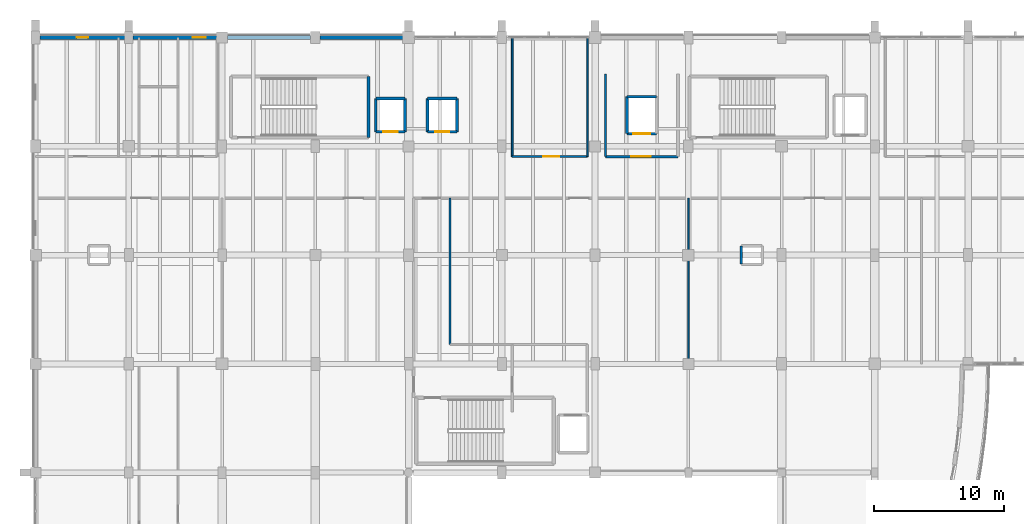
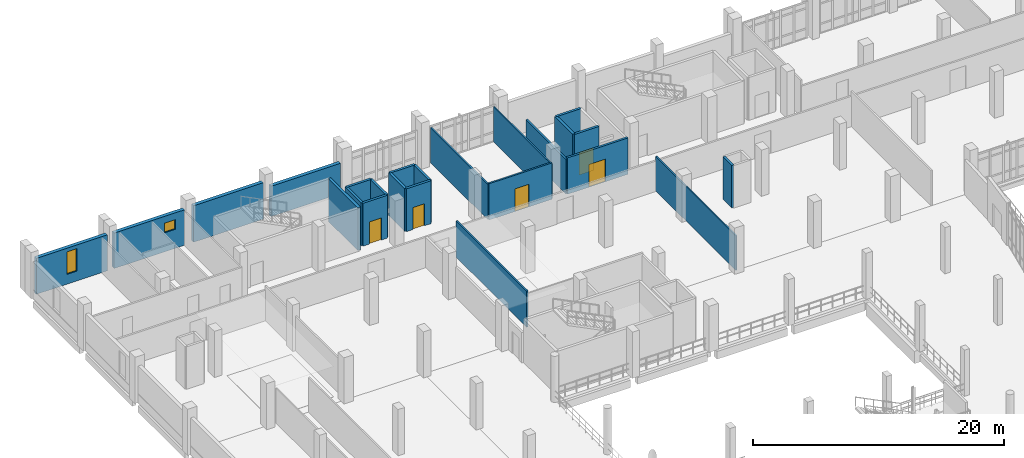
# One storey, part 116 of 134: 24 walls, 5 doors, 2 windows, 7 openings.
"""IFC4 building model written with IfcOpenShell, lengths in metres."""

from ifc_helpers import new_model, si_unit, direction, frame, frame_2d, origin, place, context, subcontext, project, spatial, rectangle, extrude, material, layer, layer_set, type_object, element, fill, save


model = new_model("IFC4")

# Units and contexts
model_context = context("Model", 3, precision=1e-05, world=origin(), true_north=direction((0.0, 1.0)))
body_context = subcontext(model_context, "Body", "Model", "MODEL_VIEW")
ifc_project = project(units=[si_unit("LENGTHUNIT", "METRE"), si_unit("AREAUNIT", "SQUARE_METRE"), si_unit("VOLUMEUNIT", "CUBIC_METRE"), si_unit("PLANEANGLEUNIT", "RADIAN"), si_unit("MASSUNIT", "GRAM", prefix="KILO")], contexts=[model_context])

# Site, building, storey
site_placement = place(None, origin())
site = spatial("IfcSite", under=ifc_project, at=site_placement, CompositionType="ELEMENT")
building_placement = place(site_placement, origin())
building = spatial("IfcBuilding", under=site, at=building_placement, Name="Kalluvel Institute of Natural Sciences", CompositionType="ELEMENT")
storey_placement = place(building_placement, frame((0.0, 0.0, 5.39990234375)))
storey = spatial("IfcBuildingStorey", under=building, at=storey_placement, Name="L01", CompositionType="ELEMENT", Elevation=5.39990234375)

# Wall
ifc_material_1 = material(Name="Concrete M40", Category="concrete")
ifc_layer_1 = layer(ifc_material_1, 0.25)
ifc_layer_set_1 = layer_set([ifc_layer_1], Name="Concrete M40")
wall_type_1 = type_object("IfcWallType", Name="WL-CORE-250", PredefinedType="SHEAR", material=ifc_layer_set_1)
wall_1_placement = place(storey_placement, frame((39.715087890625, 120.284912109375, 0.0), z_axis=(0.0, 0.0, 1.0), x_axis=(0.0, 1.0, 0.0)))
element("IfcWall", 1, at=wall_1_placement, inside=storey, type_object=wall_type_1, Name="ST1 L01 core wall E", PredefinedType="SHEAR", context=body_context, shape_type="SweptSolid", body=[
    extrude(rectangle(XDim=4.7001953125, YDim=0.25, at=frame_2d((2.35009765625, 0.0))), origin(), (0.0, 0.0, 1.0), 4.175048828125),
])

# Wall, opening, window
ifc_material_2 = material(Name="Sadarahalli Grey Granite Ashlar Concrete M40", Category="masonry")
ifc_layer_2 = layer(ifc_material_2, 0.320068359375)
ifc_layer_set_2 = layer_set([ifc_layer_2], Name="Sadarahalli Grey Granite Ashlar Concrete M40")
wall_type_2 = type_object("IfcWallType", Name="WL-EXT-320", PredefinedType="SOLIDWALL", material=ifc_layer_set_2)
wall_2_placement = place(storey_placement, frame((14.330078125, 128.0, 0.0), z_axis=(0.0, 0.0, 1.0), x_axis=(1.0, 0.0, 0.0)))
wall_2 = element("IfcWall", 2, at=wall_2_placement, inside=storey, type_object=wall_type_2, Name="L01 Sadarahalli granite exterior wall WL-EXT-L01-0017", PredefinedType="SOLIDWALL", context=body_context, shape_type="SweptSolid", body=[
    extrude(rectangle(XDim=6.56494140625, YDim=0.320068359375, at=frame_2d((3.282470703125, 0.0))), origin(), (0.0, 0.0, 1.0), 3.505126953125),
])
opening_1_placement = place(wall_2_placement, frame((2.83251953125, 0.0, 0.949951171875)))
opening_1 = element("IfcOpeningElement", 3, at=opening_1_placement, cuts=wall_2, Name="Opening W-01", PredefinedType="OPENING", context=body_context, shape_type="SweptSolid", body=[
    extrude(rectangle(XDim=0.89990234375, YDim=2.199951171875, at=frame_2d((0.449951171875, 1.10009765625))), frame((0.0, 0.169921875, 0.0), z_axis=(0.0, -1.0, 0.0), x_axis=(1.0, 0.0, 0.0)), (0.0, 0.0, 1.0), 0.340087890625),
])
ifc_material_3 = material(Name="Solar-Control Low-E Laminated Glass", Category="glass")
window_type_1 = type_object("IfcWindowType", Name="WN-LAN-090x220", PartitioningType="SINGLE_PANEL", PredefinedType="WINDOW", material=ifc_material_3)
window_1_placement = place(opening_1_placement, origin())
window_1 = element("IfcWindow", 4, at=window_1_placement, inside=storey, type_object=window_type_1, Name="L01 Gothic lancet window 11", OverallHeight=2.199951171875, OverallWidth=0.89990234375, PartitioningType="SINGLE_PANEL", PredefinedType="WINDOW", context=body_context, shape_type="SweptSolid", body=[
    extrude(rectangle(XDim=0.89990234375, YDim=2.199951171875, at=frame_2d((0.449951171875, 1.10009765625))), frame((0.0, 0.030029296875, 0.0), z_axis=(0.0, -1.0, 0.0), x_axis=(1.0, 0.0, 0.0)), (0.0, 0.0, 1.0), 0.06005859375),
])
fill(opening_1, window_1)

wall_3_placement = place(storey_placement, frame((21.5048828125, 128.0, 0.0), z_axis=(0.0, 0.0, 1.0), x_axis=(1.0, 0.0, 0.0)))
wall_3 = element("IfcWall", 5, at=wall_3_placement, inside=storey, type_object=wall_type_2, Name="L01 Sadarahalli granite exterior wall WL-EXT-L01-0018", PredefinedType="SOLIDWALL", context=body_context, shape_type="SweptSolid", body=[
    extrude(rectangle(XDim=6.490234375, YDim=0.320068359375, at=frame_2d((3.2451171875, 0.0))), origin(), (0.0, 0.0, 1.0), 3.455078125),
])
opening_2_placement = place(wall_3_placement, frame((4.64990234375, 0.0, 1.85009765625)))
opening_2 = element("IfcOpeningElement", 6, at=opening_2_placement, cuts=wall_3, Name="Opening W-23", PredefinedType="OPENING", context=body_context, shape_type="SweptSolid", body=[
    extrude(rectangle(XDim=1.0, YDim=0.949951171875, at=frame_2d((0.5, 0.47509765625))), frame((0.0, 0.169921875, 0.0), z_axis=(0.0, -1.0, 0.0), x_axis=(1.0, 0.0, 0.0)), (0.0, 0.0, 1.0), 0.340087890625),
])
window_type_2 = type_object("IfcWindowType", Name="WN-HIGH-100x095", PartitioningType="SINGLE_PANEL", PredefinedType="WINDOW", material=ifc_material_3)
window_2_placement = place(opening_2_placement, origin())
window_2 = element("IfcWindow", 7, at=window_2_placement, inside=storey, type_object=window_type_2, Name="L01 Gothic lancet window 12", OverallHeight=0.949951171875, OverallWidth=1.0, PartitioningType="SINGLE_PANEL", PredefinedType="WINDOW", context=body_context, shape_type="SweptSolid", body=[
    extrude(rectangle(XDim=1.0, YDim=0.949951171875, at=frame_2d((0.5, 0.47509765625))), frame((0.0, 0.030029296875, 0.0), z_axis=(0.0, -1.0, 0.0), x_axis=(1.0, 0.0, 0.0)), (0.0, 0.0, 1.0), 0.06005859375),
])
fill(opening_2, window_2)

# Walls
wall_4_placement = place(storey_placement, frame((28.804931640625, 128.0, 0.0), z_axis=(0.0, 0.0, 1.0), x_axis=(1.0, 0.0, 0.0)))
element("IfcWall", 8, at=wall_4_placement, inside=storey, type_object=wall_type_2, Name="L01 Sadarahalli granite exterior wall WL-EXT-L01-0019", PredefinedType="SOLIDWALL", context=body_context, shape_type="SweptSolid", body=[
    extrude(rectangle(XDim=6.440185546875, YDim=0.320068359375, at=frame_2d((3.22021484375, 0.0))), origin(), (0.0, 0.0, 1.0), 3.55517578125),
])
wall_5_placement = place(storey_placement, frame((35.955078125, 128.0, 0.0), z_axis=(0.0, 0.0, 1.0), x_axis=(1.0, 0.0, 0.0)))
element("IfcWall", 9, at=wall_5_placement, inside=storey, type_object=wall_type_2, Name="L01 Sadarahalli granite exterior wall WL-EXT-L01-0020", PredefinedType="SOLIDWALL", context=body_context, shape_type="SweptSolid", body=[
    extrude(rectangle(XDim=6.4150390625, YDim=0.320068359375, at=frame_2d((3.20751953125, 0.0))), origin(), (0.0, 0.0, 1.0), 2.955078125),
])
ifc_material_4 = material(Name="Autoclaved Aerated Concrete Masonry Block", Category="masonry")
ifc_layer_3 = layer(ifc_material_4, 0.179931640625)
ifc_layer_set_3 = layer_set([ifc_layer_3], Name="Autoclaved Aerated Concrete Masonry Block")
wall_type_3 = type_object("IfcWallType", Name="WL-FIRE-180", PredefinedType="SOLIDWALL", material=ifc_layer_set_3)
wall_6_placement = place(storey_placement, frame((58.0, 118.800048828125, 0.0), z_axis=(0.0, 0.0, 1.0), x_axis=(0.0, 1.0, 0.0)))
element("IfcWall", 10, at=wall_6_placement, inside=storey, type_object=wall_type_3, Name="L01 interior fire wall WL-INT-L01-0079", PredefinedType="SOLIDWALL", context=body_context, shape_type="SweptSolid", body=[
    extrude(rectangle(XDim=6.39990234375, YDim=0.179931640625, at=frame_2d((3.199951171875, 0.0))), origin(), (0.0, 0.0, 1.0), 3.360107421875),
])

# Wall, opening, door
ifc_layer_4 = layer(ifc_material_4, 0.199951171875)
ifc_layer_set_4 = layer_set([ifc_layer_4], Name="Autoclaved Aerated Concrete Masonry Block")
wall_type_4 = type_object("IfcWallType", Name="WL-FIRE-200", PredefinedType="SOLIDWALL", material=ifc_layer_set_4)
wall_7_placement = place(storey_placement, frame((58.0, 118.800048828125, 0.0), z_axis=(0.0, 0.0, 1.0), x_axis=(1.0, 0.0, 0.0)))
wall_7 = element("IfcWall", 11, at=wall_7_placement, inside=storey, type_object=wall_type_4, Name="L01 interior fire wall WL-INT-L01-0078", PredefinedType="SOLIDWALL", context=body_context, shape_type="SweptSolid", body=[
    extrude(rectangle(XDim=5.60009765625, YDim=0.199951171875, at=frame_2d((2.800048828125, 0.0))), origin(), (0.0, 0.0, 1.0), 3.5400390625),
])
opening_3_placement = place(wall_7_placement, frame((2.0, 0.0, 0.0)))
opening_3 = element("IfcOpeningElement", 12, at=opening_3_placement, cuts=wall_7, Name="Opening D-092", PredefinedType="OPENING", context=body_context, shape_type="SweptSolid", body=[
    extrude(rectangle(XDim=1.5, YDim=2.199951171875, at=frame_2d((0.75, 1.10009765625))), frame((0.0, 0.10986328125, 0.0), z_axis=(0.0, -1.0, 0.0), x_axis=(1.0, 0.0, 0.0)), (0.0, 0.0, 1.0), 0.219970703125),
])
ifc_material_5 = material(Name="Galvanized Fire-Rated Steel", Category="steel")
door_type_1 = type_object("IfcDoorType", Name="DR-FD60-1500", OperationType="NOTDEFINED", PredefinedType="DOOR", material=ifc_material_5)
door_1_placement = place(opening_3_placement, origin())
door_1 = element("IfcDoor", 13, at=door_1_placement, inside=storey, type_object=door_type_1, Name="L01 FF1 door D-092", OperationType="DOUBLE_DOOR_SINGLE_SWING", OverallHeight=2.199951171875, OverallWidth=1.5, PredefinedType="DOOR", context=body_context, shape_type="SweptSolid", body=[
    extrude(rectangle(XDim=1.5, YDim=2.199951171875, at=frame_2d((0.75, 1.10009765625))), frame((0.0, 0.02490234375, 0.0), z_axis=(0.0, -1.0, 0.0), x_axis=(1.0, 0.0, 0.0)), (0.0, 0.0, 1.0), 0.050048828125),
])
fill(opening_3, door_1)

# Walls
ifc_material_6 = material(Name="Acoustic Gypsum Twin-Stud Partition", Category="gypsum")
ifc_layer_5 = layer(ifc_material_6, 0.1201171875)
ifc_layer_set_5 = layer_set([ifc_layer_5], Name="Acoustic Gypsum Twin-Stud Partition")
wall_type_5 = type_object("IfcWallType", Name="WL-PART-120", PredefinedType="PARTITIONING", material=ifc_layer_set_5)
wall_8_placement = place(storey_placement, frame((56.60009765625, 118.800048828125, 0.0), z_axis=(0.0, 0.0, 1.0), x_axis=(0.0, 1.0, 0.0)))
element("IfcWall", 14, at=wall_8_placement, inside=storey, type_object=wall_type_5, Name="L01 interior partition wall WL-INT-L01-0095", PredefinedType="PARTITIONING", context=body_context, shape_type="SweptSolid", body=[
    extrude(rectangle(XDim=9.199951171875, YDim=0.1201171875, at=frame_2d((4.60009765625, 0.0))), origin(), (0.0, 0.0, 1.0), 3.41015625),
])
wall_9_placement = place(storey_placement, frame((64.39990234375, 102.800048828125, 0.0), z_axis=(0.0, 0.0, 1.0), x_axis=(0.0, 1.0, 0.0)))
element("IfcWall", 15, at=wall_9_placement, inside=storey, type_object=wall_type_5, Name="L01 interior partition wall WL-INT-L01-0101", PredefinedType="PARTITIONING", context=body_context, shape_type="SweptSolid", body=[
    extrude(rectangle(XDim=12.800048828125, YDim=0.1201171875, at=frame_2d((6.39990234375, 0.0))), origin(), (0.0, 0.0, 1.0), 3.360107421875),
])
ifc_layer_6 = layer(ifc_material_6, 0.139892578125)
ifc_layer_set_6 = layer_set([ifc_layer_6], Name="Acoustic Gypsum Twin-Stud Partition")
wall_type_6 = type_object("IfcWallType", Name="WL-PART-140", PredefinedType="PARTITIONING", material=ifc_layer_set_6)
wall_10_placement = place(storey_placement, frame((46.0, 104.300048828125, 0.0), z_axis=(0.0, 0.0, 1.0), x_axis=(0.0, 1.0, 0.0)))
element("IfcWall", 16, at=wall_10_placement, inside=storey, type_object=wall_type_6, Name="L01 interior partition wall WL-INT-L01-0085", PredefinedType="PARTITIONING", context=body_context, shape_type="SweptSolid", body=[
    extrude(rectangle(XDim=11.300048828125, YDim=0.139892578125, at=frame_2d((5.64990234375, 0.0))), origin(), (0.0, 0.0, 1.0), 3.52001953125),
])
wall_11_placement = place(storey_placement, frame((50.800048828125, 118.800048828125, 0.0), z_axis=(0.0, 0.0, 1.0), x_axis=(0.0, 1.0, 0.0)))
element("IfcWall", 17, at=wall_11_placement, inside=storey, type_object=wall_type_6, Name="L01 interior partition wall WL-INT-L01-0094", PredefinedType="PARTITIONING", context=body_context, shape_type="SweptSolid", body=[
    extrude(rectangle(XDim=9.199951171875, YDim=0.139892578125, at=frame_2d((4.60009765625, 0.0))), origin(), (0.0, 0.0, 1.0), 3.41015625),
])

# Wall, opening, door
ifc_layer_7 = layer(ifc_material_4, 0.159912109375)
ifc_layer_set_7 = layer_set([ifc_layer_7], Name="Autoclaved Aerated Concrete Masonry Block")
wall_type_7 = type_object("IfcWallType", Name="WL-PART-160", PredefinedType="PARTITIONING", material=ifc_layer_set_7)
wall_12_placement = place(storey_placement, frame((50.800048828125, 118.800048828125, 0.0), z_axis=(0.0, 0.0, 1.0), x_axis=(1.0, 0.0, 0.0)))
wall_12 = element("IfcWall", 18, at=wall_12_placement, inside=storey, type_object=wall_type_7, Name="L01 interior partition wall WL-INT-L01-0093", PredefinedType="PARTITIONING", context=body_context, shape_type="SweptSolid", body=[
    extrude(rectangle(XDim=5.800048828125, YDim=0.159912109375, at=frame_2d((2.89990234375, 0.0))), origin(), (0.0, 0.0, 1.0), 3.5400390625),
])
opening_4_placement = place(wall_12_placement, frame((2.39990234375, 0.0, 0.0)))
opening_4 = element("IfcOpeningElement", 19, at=opening_4_placement, cuts=wall_12, Name="Opening D-098", PredefinedType="OPENING", context=body_context, shape_type="SweptSolid", body=[
    extrude(rectangle(XDim=1.25, YDim=2.199951171875, at=frame_2d((0.625, 1.10009765625))), frame((0.0, 0.08984375, 0.0), z_axis=(0.0, -1.0, 0.0), x_axis=(1.0, 0.0, 0.0)), (0.0, 0.0, 1.0), 0.179931640625),
])
ifc_material_7 = material(Name="Engineered Hardwood Acoustic Leaf", Category="wood")
door_type_2 = type_object("IfcDoorType", Name="DR-INT-1250", OperationType="NOTDEFINED", PredefinedType="DOOR", material=ifc_material_7)
door_2_placement = place(opening_4_placement, origin())
door_2 = element("IfcDoor", 20, at=door_2_placement, inside=storey, type_object=door_type_2, Name="L01 North Write-Up door D-098", OperationType="SINGLE_SWING_RIGHT", OverallHeight=2.199951171875, OverallWidth=1.25, PredefinedType="DOOR", context=body_context, shape_type="SweptSolid", body=[
    extrude(rectangle(XDim=1.25, YDim=2.199951171875, at=frame_2d((0.625, 1.10009765625))), frame((0.0, 0.02490234375, 0.0), z_axis=(0.0, -1.0, 0.0), x_axis=(1.0, 0.0, 0.0)), (0.0, 0.0, 1.0), 0.050048828125),
])
fill(opening_4, door_2)

# Wall
ifc_layer_8 = layer(ifc_material_1, 0.199951171875)
ifc_layer_set_8 = layer_set([ifc_layer_8], Name="Concrete M40")
wall_type_8 = type_object("IfcWallType", Name="WL-RISER-200", PredefinedType="SHEAR", material=ifc_layer_set_8)
wall_13_placement = place(storey_placement, frame((68.5, 111.89990234375, 0.0), z_axis=(0.0, 0.0, 1.0), x_axis=(0.0, -1.0, 0.0)))
element("IfcWall", 21, at=wall_13_placement, inside=storey, type_object=wall_type_8, Name="RS-WET-E L01 service riser enclosure W", PredefinedType="SHEAR", context=body_context, shape_type="SweptSolid", body=[
    extrude(rectangle(XDim=1.39990234375, YDim=0.199951171875, at=frame_2d((0.699951171875, 0.0))), origin(), (0.0, 0.0, 1.0), 4.14013671875),
])

# Wall, opening, door
ifc_layer_9 = layer(ifc_material_1, 0.219970703125)
ifc_layer_set_9 = layer_set([ifc_layer_9], Name="Concrete M40")
wall_type_9 = type_object("IfcWallType", Name="WL-SHAFT-220", PredefinedType="SHEAR", material=ifc_layer_set_9)
wall_14_placement = place(storey_placement, frame((40.27001953125, 120.719970703125, 0.0), z_axis=(0.0, 0.0, 1.0), x_axis=(1.0, 0.0, 0.0)))
wall_14 = element("IfcWall", 22, at=wall_14_placement, inside=storey, type_object=wall_type_9, Name="LF1 L01 lift shaft wall", PredefinedType="SHEAR", context=body_context, shape_type="SweptSolid", body=[
    extrude(rectangle(XDim=2.260009765625, YDim=0.219970703125, at=frame_2d((1.1298828125, 0.0))), origin(), (0.0, 0.0, 1.0), 4.175048828125),
])
opening_5_placement = place(wall_14_placement, frame((0.580078125, 0.0, 0.0)))
opening_5 = element("IfcOpeningElement", 23, at=opening_5_placement, cuts=wall_14, Name="Opening LD-003", PredefinedType="OPENING", context=body_context, shape_type="SweptSolid", body=[
    extrude(rectangle(XDim=1.10009765625, YDim=2.14990234375, at=frame_2d((0.550048828125, 1.074951171875))), frame((0.0, 0.119873046875, 0.0), z_axis=(0.0, -1.0, 0.0), x_axis=(1.0, 0.0, 0.0)), (0.0, 0.0, 1.0), 0.239990234375),
])
door_type_3 = type_object("IfcDoorType", Name="DR-LD-1100", OperationType="NOTDEFINED", PredefinedType="DOOR", material=ifc_material_5)
door_3_placement = place(opening_5_placement, origin())
door_3 = element("IfcDoor", 24, at=door_3_placement, inside=storey, type_object=door_type_3, Name="LF1 L01 sliding lift landing door LD-003", OperationType="DOUBLE_DOOR_SLIDING", OverallHeight=2.14990234375, OverallWidth=1.10009765625, PredefinedType="DOOR", context=body_context, shape_type="SweptSolid", body=[
    extrude(rectangle(XDim=1.10009765625, YDim=2.14990234375, at=frame_2d((0.550048828125, 1.074951171875))), frame((0.0, 0.02490234375, 0.0), z_axis=(0.0, -1.0, 0.0), x_axis=(1.0, 0.0, 0.0)), (0.0, 0.0, 1.0), 0.050048828125),
])
fill(opening_5, door_3)

# Walls
wall_15_placement = place(storey_placement, frame((42.530029296875, 120.719970703125, 0.0), z_axis=(0.0, 0.0, 1.0), x_axis=(0.0, 1.0, 0.0)))
element("IfcWall", 25, at=wall_15_placement, inside=storey, type_object=wall_type_9, Name="LF1 L01 lift shaft wall", PredefinedType="SHEAR", context=body_context, shape_type="SweptSolid", body=[
    extrude(rectangle(XDim=2.56005859375, YDim=0.219970703125, at=frame_2d((1.280029296875, 0.0))), origin(), (0.0, 0.0, 1.0), 4.175048828125),
])
wall_16_placement = place(storey_placement, frame((42.530029296875, 123.280029296875, 0.0), z_axis=(0.0, 0.0, 1.0), x_axis=(-1.0, 0.0, 0.0)))
element("IfcWall", 26, at=wall_16_placement, inside=storey, type_object=wall_type_9, Name="LF1 L01 lift shaft wall", PredefinedType="SHEAR", context=body_context, shape_type="SweptSolid", body=[
    extrude(rectangle(XDim=2.260009765625, YDim=0.219970703125, at=frame_2d((1.1298828125, 0.0))), origin(), (0.0, 0.0, 1.0), 4.175048828125),
])
wall_17_placement = place(storey_placement, frame((40.27001953125, 123.280029296875, 0.0), z_axis=(0.0, 0.0, 1.0), x_axis=(0.0, -1.0, 0.0)))
element("IfcWall", 27, at=wall_17_placement, inside=storey, type_object=wall_type_9, Name="LF1 L01 lift shaft wall", PredefinedType="SHEAR", context=body_context, shape_type="SweptSolid", body=[
    extrude(rectangle(XDim=2.56005859375, YDim=0.219970703125, at=frame_2d((1.280029296875, 0.0))), origin(), (0.0, 0.0, 1.0), 4.175048828125),
])

# Wall, opening, door
wall_18_placement = place(storey_placement, frame((44.27001953125, 120.719970703125, 0.0), z_axis=(0.0, 0.0, 1.0), x_axis=(1.0, 0.0, 0.0)))
wall_18 = element("IfcWall", 28, at=wall_18_placement, inside=storey, type_object=wall_type_9, Name="LF2 L01 lift shaft wall", PredefinedType="SHEAR", context=body_context, shape_type="SweptSolid", body=[
    extrude(rectangle(XDim=2.260009765625, YDim=0.219970703125, at=frame_2d((1.1298828125, 0.0))), origin(), (0.0, 0.0, 1.0), 4.175048828125),
])
opening_6_placement = place(wall_18_placement, frame((0.580078125, 0.0, 0.0)))
opening_6 = element("IfcOpeningElement", 29, at=opening_6_placement, cuts=wall_18, Name="Opening LD-013", PredefinedType="OPENING", context=body_context, shape_type="SweptSolid", body=[
    extrude(rectangle(XDim=1.10009765625, YDim=2.14990234375, at=frame_2d((0.550048828125, 1.074951171875))), frame((0.0, 0.119873046875, 0.0), z_axis=(0.0, -1.0, 0.0), x_axis=(1.0, 0.0, 0.0)), (0.0, 0.0, 1.0), 0.239990234375),
])
door_4_placement = place(opening_6_placement, origin())
door_4 = element("IfcDoor", 30, at=door_4_placement, inside=storey, type_object=door_type_3, Name="LF2 L01 sliding lift landing door LD-013", OperationType="DOUBLE_DOOR_SLIDING", OverallHeight=2.14990234375, OverallWidth=1.10009765625, PredefinedType="DOOR", context=body_context, shape_type="SweptSolid", body=[
    extrude(rectangle(XDim=1.10009765625, YDim=2.14990234375, at=frame_2d((0.550048828125, 1.074951171875))), frame((0.0, 0.02490234375, 0.0), z_axis=(0.0, -1.0, 0.0), x_axis=(1.0, 0.0, 0.0)), (0.0, 0.0, 1.0), 0.050048828125),
])
fill(opening_6, door_4)

# Walls
wall_19_placement = place(storey_placement, frame((46.530029296875, 120.719970703125, 0.0), z_axis=(0.0, 0.0, 1.0), x_axis=(0.0, 1.0, 0.0)))
element("IfcWall", 31, at=wall_19_placement, inside=storey, type_object=wall_type_9, Name="LF2 L01 lift shaft wall", PredefinedType="SHEAR", context=body_context, shape_type="SweptSolid", body=[
    extrude(rectangle(XDim=2.56005859375, YDim=0.219970703125, at=frame_2d((1.280029296875, 0.0))), origin(), (0.0, 0.0, 1.0), 4.175048828125),
])
wall_20_placement = place(storey_placement, frame((46.530029296875, 123.280029296875, 0.0), z_axis=(0.0, 0.0, 1.0), x_axis=(-1.0, 0.0, 0.0)))
element("IfcWall", 32, at=wall_20_placement, inside=storey, type_object=wall_type_9, Name="LF2 L01 lift shaft wall", PredefinedType="SHEAR", context=body_context, shape_type="SweptSolid", body=[
    extrude(rectangle(XDim=2.260009765625, YDim=0.219970703125, at=frame_2d((1.1298828125, 0.0))), origin(), (0.0, 0.0, 1.0), 4.175048828125),
])
wall_21_placement = place(storey_placement, frame((44.27001953125, 123.280029296875, 0.0), z_axis=(0.0, 0.0, 1.0), x_axis=(0.0, -1.0, 0.0)))
element("IfcWall", 33, at=wall_21_placement, inside=storey, type_object=wall_type_9, Name="LF2 L01 lift shaft wall", PredefinedType="SHEAR", context=body_context, shape_type="SweptSolid", body=[
    extrude(rectangle(XDim=2.56005859375, YDim=0.219970703125, at=frame_2d((1.280029296875, 0.0))), origin(), (0.0, 0.0, 1.0), 4.175048828125),
])

# Wall, opening, door
wall_22_placement = place(storey_placement, frame((59.669921875, 120.570068359375, 0.0), z_axis=(0.0, 0.0, 1.0), x_axis=(1.0, 0.0, 0.0)))
wall_22 = element("IfcWall", 34, at=wall_22_placement, inside=storey, type_object=wall_type_9, Name="LF3 L01 lift shaft wall", PredefinedType="SHEAR", context=body_context, shape_type="SweptSolid", body=[
    extrude(rectangle(XDim=2.260009765625, YDim=0.219970703125, at=frame_2d((1.1298828125, 0.0))), origin(), (0.0, 0.0, 1.0), 4.175048828125),
])
opening_7_placement = place(wall_22_placement, frame((0.47998046875, 0.0, 0.0)))
opening_7 = element("IfcOpeningElement", 35, at=opening_7_placement, cuts=wall_22, Name="Opening LD-023", PredefinedType="OPENING", context=body_context, shape_type="SweptSolid", body=[
    extrude(rectangle(XDim=1.300048828125, YDim=2.199951171875, at=frame_2d((0.64990234375, 1.10009765625))), frame((0.0, 0.119873046875, 0.0), z_axis=(0.0, -1.0, 0.0), x_axis=(1.0, 0.0, 0.0)), (0.0, 0.0, 1.0), 0.239990234375),
])
door_type_4 = type_object("IfcDoorType", Name="DR-LD-1300", OperationType="NOTDEFINED", PredefinedType="DOOR", material=ifc_material_5)
door_5_placement = place(opening_7_placement, origin())
door_5 = element("IfcDoor", 36, at=door_5_placement, inside=storey, type_object=door_type_4, Name="LF3 L01 sliding lift landing door LD-023", OperationType="DOUBLE_DOOR_SLIDING", OverallHeight=2.199951171875, OverallWidth=1.300048828125, PredefinedType="DOOR", context=body_context, shape_type="SweptSolid", body=[
    extrude(rectangle(XDim=1.300048828125, YDim=2.199951171875, at=frame_2d((0.64990234375, 1.10009765625))), frame((0.0, 0.02490234375, 0.0), z_axis=(0.0, -1.0, 0.0), x_axis=(1.0, 0.0, 0.0)), (0.0, 0.0, 1.0), 0.050048828125),
])
fill(opening_7, door_5)

# Walls
wall_23_placement = place(storey_placement, frame((61.929931640625, 123.429931640625, 0.0), z_axis=(0.0, 0.0, 1.0), x_axis=(-1.0, 0.0, 0.0)))
element("IfcWall", 37, at=wall_23_placement, inside=storey, type_object=wall_type_9, Name="LF3 L01 lift shaft wall", PredefinedType="SHEAR", context=body_context, shape_type="SweptSolid", body=[
    extrude(rectangle(XDim=2.260009765625, YDim=0.219970703125, at=frame_2d((1.1298828125, 0.0))), origin(), (0.0, 0.0, 1.0), 4.175048828125),
])
wall_24_placement = place(storey_placement, frame((59.669921875, 123.429931640625, 0.0), z_axis=(0.0, 0.0, 1.0), x_axis=(0.0, -1.0, 0.0)))
element("IfcWall", 38, at=wall_24_placement, inside=storey, type_object=wall_type_9, Name="LF3 L01 lift shaft wall", PredefinedType="SHEAR", context=body_context, shape_type="SweptSolid", body=[
    extrude(rectangle(XDim=2.85986328125, YDim=0.219970703125, at=frame_2d((1.429931640625, 0.0))), origin(), (0.0, 0.0, 1.0), 4.175048828125),
])

save(model, "model.ifc")
